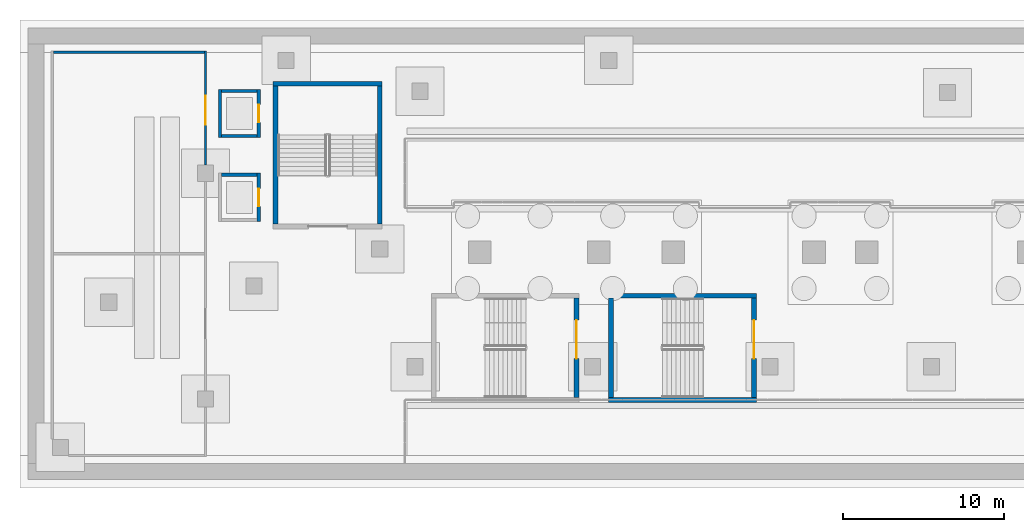
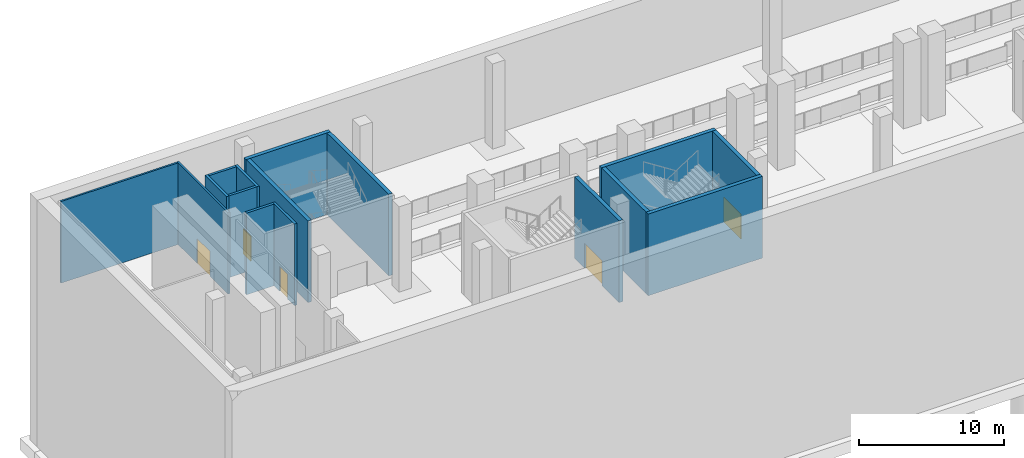
# One storey, part 3 of 15: 16 walls, 5 doors, 5 openings.
"""IFC4 building model written with IfcOpenShell, lengths in metres."""

from ifc_helpers import new_model, si_unit, direction, frame, frame_2d, origin, place, context, subcontext, project, spatial, rectangle, extrude, material, layer, layer_set, type_object, element, fill, save


model = new_model("IFC4")

# Units and contexts
model_context = context("Model", 3, precision=1e-05, world=origin(), true_north=direction((0.0, 1.0)))
body_context = subcontext(model_context, "Body", "Model", "MODEL_VIEW")
ifc_project = project(units=[si_unit("LENGTHUNIT", "METRE"), si_unit("AREAUNIT", "SQUARE_METRE"), si_unit("VOLUMEUNIT", "CUBIC_METRE"), si_unit("PLANEANGLEUNIT", "RADIAN"), si_unit("MASSUNIT", "GRAM", prefix="KILO")], contexts=[model_context])

# Site, building, storey
site_placement = place(None, origin())
site = spatial("IfcSite", under=ifc_project, at=site_placement, CompositionType="ELEMENT")
building_placement = place(site_placement, origin())
building = spatial("IfcBuilding", under=site, at=building_placement, Name="Wharfspan Tower", CompositionType="ELEMENT")
storey_placement = place(building_placement, frame((0.0, 0.0, -14.399902)))
storey = spatial("IfcBuildingStorey", under=building, at=storey_placement, Name="B2", CompositionType="ELEMENT", Elevation=-14.399902)

# Wall, opening, door
ifc_material_1 = material(Name="Calcium silicate masonry", Category="masonry")
ifc_layer_1 = layer(ifc_material_1, 0.149902)
ifc_layer_set_1 = layer_set([ifc_layer_1], Name="Calcium silicate masonry")
wall_type_1 = type_object("IfcWallType", Name="Podium room wall 150", PredefinedType="PARTITIONING", material=ifc_layer_set_1)
wall_1_placement = place(storey_placement, frame((-5.0, -16.48999, 0.0), z_axis=(0.0, 0.0, 1.0), x_axis=(0.0, 1.0, 0.0)))
wall_1 = element("IfcWall", 1, at=wall_1_placement, inside=storey, type_object=wall_type_1, Name="iw:B2:5", PredefinedType="PARTITIONING", context=body_context, shape_type="SweptSolid", body=[
    extrude(rectangle(XDim=7.064941, YDim=0.149902, at=frame_2d((3.532471, 0.0))), origin(), (0.0, 0.0, 1.0), 6.899902),
])
opening_1_placement = place(wall_1_placement, frame((2.495117, 0.0, 0.0)))
opening_1 = element("IfcOpeningElement", 2, at=opening_1_placement, cuts=wall_1, Name="Opening PD2.2", PredefinedType="OPENING", context=body_context, shape_type="SweptSolid", body=[
    extrude(rectangle(XDim=1.800049, YDim=2.100098, at=frame_2d((0.899902, 1.050049))), frame((0.0, 0.084961, 0.0), z_axis=(0.0, -1.0, 0.0), x_axis=(1.0, 0.0, 0.0)), (0.0, 0.0, 1.0), 0.169922),
])
ifc_material_2 = material(Name="Steel door leaf", Category="steel")
door_type_1 = type_object("IfcDoorType", Name="Podium double door 1800x2100", OperationType="DOUBLE_DOOR_SINGLE_SWING", PredefinedType="DOOR", material=ifc_material_2)
door_1_placement = place(opening_1_placement, origin())
door_1 = element("IfcDoor", 3, at=door_1_placement, inside=storey, type_object=door_type_1, Name="id:B2:2", OperationType="DOUBLE_DOOR_SINGLE_SWING", OverallHeight=2.100098, OverallWidth=1.800049, PredefinedType="DOOR", context=body_context, shape_type="SweptSolid", body=[
    extrude(rectangle(XDim=1.800049, YDim=2.100098, at=frame_2d((0.899902, 1.050049))), frame((0.0, 0.024902, 0.0), z_axis=(0.0, -1.0, 0.0), x_axis=(1.0, 0.0, 0.0)), (0.0, 0.0, 1.0), 0.050049),
])
fill(opening_1, door_1)

# Wall
wall_2_placement = place(storey_placement, frame((-14.425049, -9.5, 0.0), z_axis=(0.0, 0.0, 1.0), x_axis=(1.0, 0.0, 0.0)))
element("IfcWall", 4, at=wall_2_placement, inside=storey, type_object=wall_type_1, Name="iw:B2:9", PredefinedType="PARTITIONING", context=body_context, shape_type="SweptSolid", body=[
    extrude(rectangle(XDim=9.350098, YDim=0.149902, at=frame_2d((4.675049, 0.0))), origin(), (0.0, 0.0, 1.0), 6.899902),
])

# Wall, opening, door
ifc_material_3 = material(Name="Concrete C30/37", Category="concrete")
ifc_layer_2 = layer(ifc_material_3, 0.199951)
ifc_layer_set_2 = layer_set([ifc_layer_2], Name="Concrete C30/37")
wall_type_2 = type_object("IfcWallType", Name="Podium shaft wall 200", PredefinedType="PARTITIONING", material=ifc_layer_set_2)
wall_3_placement = place(storey_placement, frame((-1.699951, -20.0, 0.0), z_axis=(0.0, 0.0, 1.0), x_axis=(0.0, 1.0, 0.0)))
wall_3 = element("IfcWall", 5, at=wall_3_placement, inside=storey, type_object=wall_type_2, Name="pl:LP1:B2:E", PredefinedType="PARTITIONING", context=body_context, shape_type="SweptSolid", body=[
    extrude(rectangle(XDim=3.0, YDim=0.199951, at=frame_2d((1.5, 0.0))), origin(), (0.0, 0.0, 1.0), 6.899902),
])
opening_2_placement = place(wall_3_placement, frame((0.949951, 0.0, 0.0)))
opening_2 = element("IfcOpeningElement", 6, at=opening_2_placement, cuts=wall_3, Name="Opening LDP1.B2", PredefinedType="OPENING", context=body_context, shape_type="SweptSolid", body=[
    extrude(rectangle(XDim=1.100098, YDim=2.100098, at=frame_2d((0.550049, 1.050049))), frame((0.0, 0.109863, 0.0), z_axis=(0.0, -1.0, 0.0), x_axis=(1.0, 0.0, 0.0)), (0.0, 0.0, 1.0), 0.219971),
])
ifc_material_4 = material(Name="Stainless steel", Category="steel")
door_type_2 = type_object("IfcDoorType", Name="Podium lift landing door 1100x2100", OperationType="DOUBLE_DOOR_SLIDING", PredefinedType="DOOR", material=ifc_material_4)
door_2_placement = place(opening_2_placement, origin())
door_2 = element("IfcDoor", 7, at=door_2_placement, inside=storey, type_object=door_type_2, Name="Landing door LP1 B2", OperationType="DOUBLE_DOOR_SLIDING", OverallHeight=2.100098, OverallWidth=1.100098, PredefinedType="DOOR", context=body_context, shape_type="SweptSolid", body=[
    extrude(rectangle(XDim=1.100098, YDim=2.100098, at=frame_2d((0.550049, 1.050049))), frame((0.0, 0.024902, 0.0), z_axis=(0.0, -1.0, 0.0), x_axis=(1.0, 0.0, 0.0)), (0.0, 0.0, 1.0), 0.050049),
])
fill(opening_2, door_2)

# Walls
wall_4_placement = place(storey_placement, frame((-4.0, -17.100098, 0.0), z_axis=(0.0, 0.0, 1.0), x_axis=(1.0, 0.0, 0.0)))
element("IfcWall", 8, at=wall_4_placement, inside=storey, type_object=wall_type_2, Name="pl:LP1:B2:N", PredefinedType="PARTITIONING", context=body_context, shape_type="SweptSolid", body=[
    extrude(rectangle(XDim=2.199951, YDim=0.199951, at=frame_2d((1.100098, 0.0))), origin(), (0.0, 0.0, 1.0), 6.899902),
])
wall_5_placement = place(storey_placement, frame((-4.100098, -14.800049, 0.0), z_axis=(0.0, 0.0, 1.0), x_axis=(0.0, 1.0, 0.0)))
element("IfcWall", 9, at=wall_5_placement, inside=storey, type_object=wall_type_2, Name="pl:LP3:B2:W", PredefinedType="PARTITIONING", context=body_context, shape_type="SweptSolid", body=[
    extrude(rectangle(XDim=3.0, YDim=0.199951, at=frame_2d((1.5, 0.0))), origin(), (0.0, 0.0, 1.0), 6.899902),
])

# Wall, opening, door
wall_6_placement = place(storey_placement, frame((-1.699951, -14.800049, 0.0), z_axis=(0.0, 0.0, 1.0), x_axis=(0.0, 1.0, 0.0)))
wall_6 = element("IfcWall", 10, at=wall_6_placement, inside=storey, type_object=wall_type_2, Name="pl:LP3:B2:E", PredefinedType="PARTITIONING", context=body_context, shape_type="SweptSolid", body=[
    extrude(rectangle(XDim=3.0, YDim=0.199951, at=frame_2d((1.5, 0.0))), origin(), (0.0, 0.0, 1.0), 6.899902),
])
opening_3_placement = place(wall_6_placement, frame((0.949951, 0.0, 0.0)))
opening_3 = element("IfcOpeningElement", 11, at=opening_3_placement, cuts=wall_6, Name="Opening LDP3.B2", PredefinedType="OPENING", context=body_context, shape_type="SweptSolid", body=[
    extrude(rectangle(XDim=1.100098, YDim=2.100098, at=frame_2d((0.550049, 1.050049))), frame((0.0, 0.109863, 0.0), z_axis=(0.0, -1.0, 0.0), x_axis=(1.0, 0.0, 0.0)), (0.0, 0.0, 1.0), 0.219971),
])
door_3_placement = place(opening_3_placement, origin())
door_3 = element("IfcDoor", 12, at=door_3_placement, inside=storey, type_object=door_type_2, Name="Landing door LP3 B2", OperationType="DOUBLE_DOOR_SLIDING", OverallHeight=2.100098, OverallWidth=1.100098, PredefinedType="DOOR", context=body_context, shape_type="SweptSolid", body=[
    extrude(rectangle(XDim=1.100098, YDim=2.100098, at=frame_2d((0.550049, 1.050049))), frame((0.0, 0.024902, 0.0), z_axis=(0.0, -1.0, 0.0), x_axis=(1.0, 0.0, 0.0)), (0.0, 0.0, 1.0), 0.050049),
])
fill(opening_3, door_3)

# Walls
for number, where, z_axis, x_axis, name in (
    (13, (-4.0, -14.699951, 0.0), (0.0, 0.0, 1.0), (1.0, 0.0, 0.0), "pl:LP3:B2:S"),
    (14, (-4.0, -11.899902, 0.0), (0.0, 0.0, 1.0), (1.0, 0.0, 0.0), "pl:LP3:B2:N"),
):
    element("IfcWall", number, at=place(storey_placement, frame(where, z_axis=z_axis, x_axis=x_axis)), inside=storey, type_object=wall_type_2, Name=name, PredefinedType="PARTITIONING", context=body_context, shape_type="SweptSolid", body=[
        extrude(rectangle(XDim=2.199951, YDim=0.199951, at=frame_2d((1.100098, 0.0))), origin(), (0.0, 0.0, 1.0), 6.899902),
    ])

# Wall, opening, door
ifc_material_5 = material(Name="Concrete C40/50", Category="concrete")
ifc_layer_3 = layer(ifc_material_5, 0.300049)
ifc_layer_set_3 = layer_set([ifc_layer_3], Name="Concrete C40/50")
wall_type_3 = type_object("IfcWallType", Name="Podium stair core wall 300", PredefinedType="SHEAR", material=ifc_layer_set_3)
wall_7_placement = place(storey_placement, frame((18.0, -30.899902, 0.0), z_axis=(0.0, 0.0, 1.0), x_axis=(0.0, 1.0, 0.0)))
wall_7 = element("IfcWall", 15, at=wall_7_placement, inside=storey, type_object=wall_type_3, Name="iw:B2:SB1E", PredefinedType="SHEAR", context=body_context, shape_type="SweptSolid", body=[
    extrude(rectangle(XDim=6.149902, YDim=0.300049, at=frame_2d((3.074951, 0.0))), origin(), (0.0, 0.0, 1.0), 6.899902),
])
opening_4_placement = place(wall_7_placement, frame((2.399902, 0.0, 0.0)))
opening_4 = element("IfcOpeningElement", 16, at=opening_4_placement, cuts=wall_7, Name="Opening SDSB1.B2", PredefinedType="OPENING", context=body_context, shape_type="SweptSolid", body=[
    extrude(rectangle(XDim=2.399902, YDim=2.100098, at=frame_2d((1.199951, 1.050049))), frame((0.0, 0.159912, 0.0), z_axis=(0.0, -1.0, 0.0), x_axis=(1.0, 0.0, 0.0)), (0.0, 0.0, 1.0), 0.320068),
])
door_type_3 = type_object("IfcDoorType", Name="Podium stair door 2400x2100", OperationType="DOUBLE_DOOR_SINGLE_SWING", PredefinedType="DOOR", material=ifc_material_2)
door_4_placement = place(opening_4_placement, origin())
door_4 = element("IfcDoor", 17, at=door_4_placement, inside=storey, type_object=door_type_3, Name="id:B2:SB1", OperationType="DOUBLE_DOOR_SINGLE_SWING", OverallHeight=2.100098, OverallWidth=2.399902, PredefinedType="DOOR", context=body_context, shape_type="SweptSolid", body=[
    extrude(rectangle(XDim=2.399902, YDim=2.100098, at=frame_2d((1.199951, 1.050049))), frame((0.0, 0.024902, 0.0), z_axis=(0.0, -1.0, 0.0), x_axis=(1.0, 0.0, 0.0)), (0.0, 0.0, 1.0), 0.050049),
])
fill(opening_4, door_4)

# Walls
for number, where, z_axis, x_axis, name in (
    (18, (20.0, -31.050049, 0.0), (0.0, 0.0, 1.0), (1.0, 0.0, 0.0), "iw:B2:SB2S"),
    (19, (20.0, -24.600098, 0.0), (0.0, 0.0, 1.0), (1.0, 0.0, 0.0), "iw:B2:SB2N"),
):
    element("IfcWall", number, at=place(storey_placement, frame(where, z_axis=z_axis, x_axis=x_axis)), inside=storey, type_object=wall_type_3, Name=name, PredefinedType="SHEAR", context=body_context, shape_type="SweptSolid", body=[
        extrude(rectangle(XDim=9.149902, YDim=0.300049, at=frame_2d((4.574951, 0.0))), origin(), (0.0, 0.0, 1.0), 6.899902),
    ])
wall_8_placement = place(storey_placement, frame((20.149902, -30.899902, 0.0), z_axis=(0.0, 0.0, 1.0), x_axis=(0.0, 1.0, 0.0)))
element("IfcWall", 20, at=wall_8_placement, inside=storey, type_object=wall_type_3, Name="iw:B2:SB2W", PredefinedType="SHEAR", context=body_context, shape_type="SweptSolid", body=[
    extrude(rectangle(XDim=6.149902, YDim=0.300049, at=frame_2d((3.074951, 0.0))), origin(), (0.0, 0.0, 1.0), 6.899902),
])

# Wall, opening, door
wall_9_placement = place(storey_placement, frame((29.0, -30.899902, 0.0), z_axis=(0.0, 0.0, 1.0), x_axis=(0.0, 1.0, 0.0)))
wall_9 = element("IfcWall", 21, at=wall_9_placement, inside=storey, type_object=wall_type_3, Name="iw:B2:SB2E", PredefinedType="SHEAR", context=body_context, shape_type="SweptSolid", body=[
    extrude(rectangle(XDim=6.149902, YDim=0.300049, at=frame_2d((3.074951, 0.0))), origin(), (0.0, 0.0, 1.0), 6.899902),
])
opening_5_placement = place(wall_9_placement, frame((2.399902, 0.0, 0.0)))
opening_5 = element("IfcOpeningElement", 22, at=opening_5_placement, cuts=wall_9, Name="Opening SDSB2.B2", PredefinedType="OPENING", context=body_context, shape_type="SweptSolid", body=[
    extrude(rectangle(XDim=2.399902, YDim=2.100098, at=frame_2d((1.199951, 1.050049))), frame((0.0, 0.159912, 0.0), z_axis=(0.0, -1.0, 0.0), x_axis=(1.0, 0.0, 0.0)), (0.0, 0.0, 1.0), 0.320068),
])
door_5_placement = place(opening_5_placement, origin())
door_5 = element("IfcDoor", 23, at=door_5_placement, inside=storey, type_object=door_type_3, Name="id:B2:SB2", OperationType="DOUBLE_DOOR_SINGLE_SWING", OverallHeight=2.100098, OverallWidth=2.399902, PredefinedType="DOOR", context=body_context, shape_type="SweptSolid", body=[
    extrude(rectangle(XDim=2.399902, YDim=2.100098, at=frame_2d((1.199951, 1.050049))), frame((0.0, 0.024902, 0.0), z_axis=(0.0, -1.0, 0.0), x_axis=(1.0, 0.0, 0.0)), (0.0, 0.0, 1.0), 0.050049),
])
fill(opening_5, door_5)

# Walls
wall_10_placement = place(storey_placement, frame((-0.800049, -11.449951, 0.0), z_axis=(0.0, 0.0, 1.0), x_axis=(1.0, 0.0, 0.0)))
element("IfcWall", 24, at=wall_10_placement, inside=storey, type_object=wall_type_3, Name="iw:B2:SB6N", PredefinedType="SHEAR", context=body_context, shape_type="SweptSolid", body=[
    extrude(rectangle(XDim=6.75, YDim=0.300049, at=frame_2d((3.375, 0.0))), origin(), (0.0, 0.0, 1.0), 6.899902),
])
for number, where, z_axis, x_axis, name in (
    (25, (-0.649902, -20.149902, 0.0), (0.0, 0.0, 1.0), (0.0, 1.0, 0.0), "iw:B2:SB6W"),
    (26, (5.800049, -20.149902, 0.0), (0.0, 0.0, 1.0), (0.0, 1.0, 0.0), "iw:B2:SB6E"),
):
    element("IfcWall", number, at=place(storey_placement, frame(where, z_axis=z_axis, x_axis=x_axis)), inside=storey, type_object=wall_type_3, Name=name, PredefinedType="SHEAR", context=body_context, shape_type="SweptSolid", body=[
        extrude(rectangle(XDim=8.549805, YDim=0.300049, at=frame_2d((4.274902, 0.0))), origin(), (0.0, 0.0, 1.0), 6.899902),
    ])

save(model, "model.ifc")
